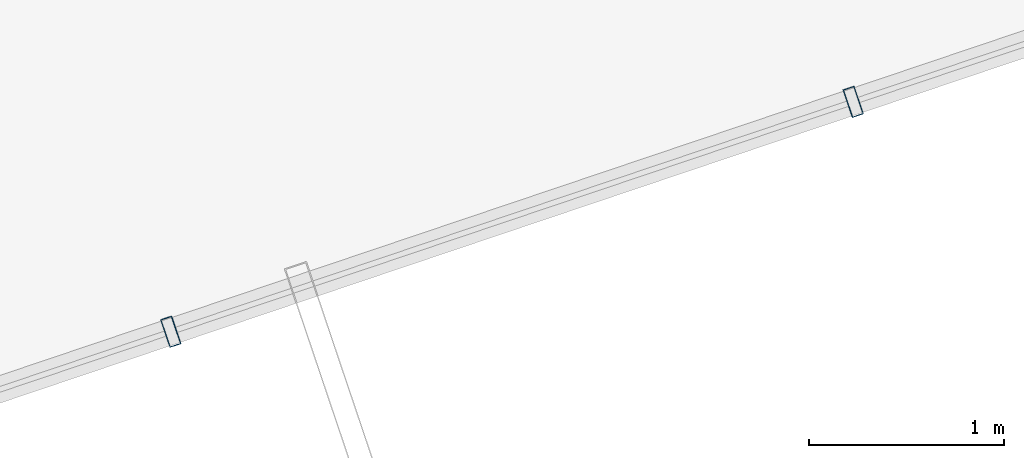
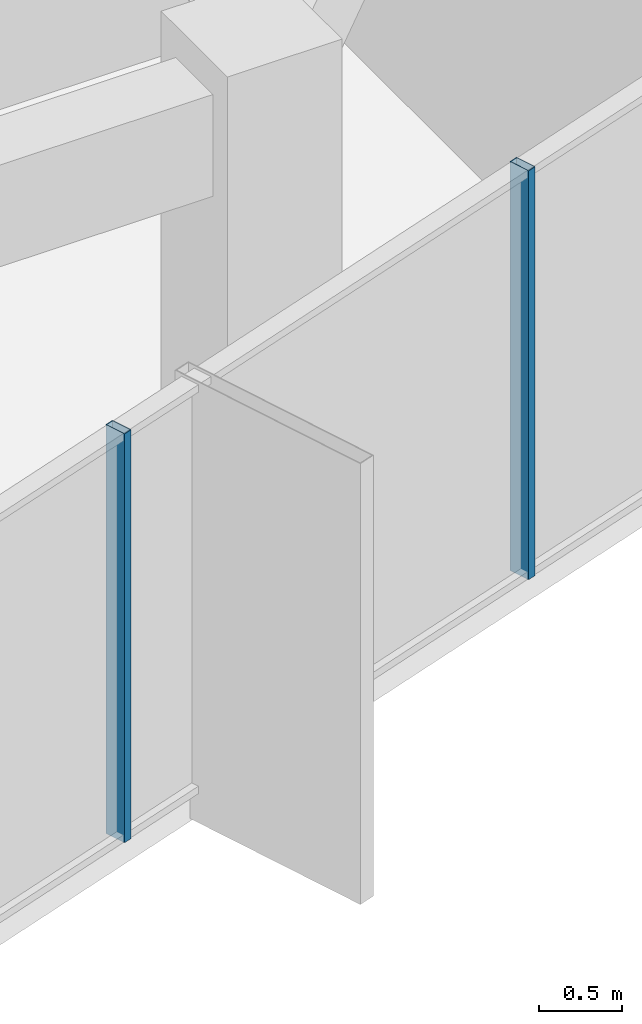
# One storey, part 7 of 28: 2 members, 1 element without a shape of its own.
"""IFC4 building model written with IfcOpenShell, lengths in metres."""

from ifc_helpers import new_model, si_unit, direction, frame, origin, origin_2d, place, context, subcontext, project, spatial, hollow_rectangle, extrude, source, transform, mapped, material, layer, layer_set, material_profile, profile_set, type_object, element, aggregate, save


model = new_model("IFC4")

# Units and contexts
model_context = context("Model", 3, precision=1e-05, world=origin(), true_north=direction((0.0, 1.0)))
body_context = subcontext(model_context, "Body", "Model", "MODEL_VIEW")
ifc_project = project(units=[si_unit("LENGTHUNIT", "METRE"), si_unit("AREAUNIT", "SQUARE_METRE"), si_unit("VOLUMEUNIT", "CUBIC_METRE"), si_unit("PLANEANGLEUNIT", "RADIAN"), si_unit("MASSUNIT", "GRAM", prefix="KILO")], contexts=[model_context])

# Site, building, storey
site_placement = place(None, origin())
site = spatial("IfcSite", under=ifc_project, at=site_placement, CompositionType="ELEMENT")
building_placement = place(site_placement, origin())
building = spatial("IfcBuilding", under=site, at=building_placement, Name="Veraguas Prism Commons", CompositionType="ELEMENT")
storey_placement = place(building_placement, frame((0.0, 0.0, 248.0)))
storey = spatial("IfcBuildingStorey", under=building, at=storey_placement, Name="L70", CompositionType="ELEMENT", Elevation=248.0)

# Curtain wall, members
ifc_material = material(Name="Anodised aluminium EN AW-6063 T6", Category="aluminium")
ifc_layer = layer(ifc_material, 0.14990234375, Name="Unitised Flush Curtain Wall Zone 4", Category="aluminium")
ifc_layer_set = layer_set([ifc_layer], Name="Anodised aluminium EN AW-6063 T6")
curtain_wall_type = type_object("IfcCurtainWallType", Name="Unitised Flush Curtain Wall Zone 4", PredefinedType="NOTDEFINED", material=ifc_layer_set)
curtain_wall_placement = place(storey_placement, origin())
curtain_wall = element("IfcCurtainWall", 1, at=curtain_wall_placement, inside=storey, type_object=curtain_wall_type, Name="Tower Facade Curtain Wall L70-F5", PredefinedType="NOTDEFINED")
ifc_material_profile = material_profile(ifc_material, hollow_rectangle(XDim=0.06005859375, YDim=0.14990234375, WallThickness=0.0029296875, at=origin_2d()), Name="AL60X150X3")
ifc_profile_set = profile_set([ifc_material_profile], Name="Anodised aluminium EN AW-6063 T6")
member_type = type_object("IfcMemberType", Name="Curtain Wall Mullion Upper AL 60x150x3", PredefinedType="MULLION", material=ifc_profile_set)
shared_shape = source(origin(), body_context, "Body", "SweptSolid", [
    extrude(hollow_rectangle(XDim=0.06005859375, YDim=0.14990234375, WallThickness=0.0029296875, at=origin_2d()), origin(), (0.0, 0.0, 1.0), 3.014892578125),
])
member_1_placement = place(storey_placement, frame((25.75537109375, 7.228271484375, 0.0), z_axis=(0.0, 0.0, 1.0), x_axis=(0.94765924351, 0.319283507543, 0.0)))
member_1 = element("IfcMember", 2, at=member_1_placement, type_object=member_type, Name="CW-Z4 Mullion 2", PredefinedType="MULLION", context=body_context, shape_type="MappedRepresentation", body=[
    mapped(shared_shape, transform((0.0, 0.0, 0.0), scale=1.0)),
])
member_2_placement = place(storey_placement, frame((29.253662109375, 8.40673828125, 0.0), z_axis=(0.0, 0.0, 1.0), x_axis=(0.94765924351, 0.319283507543, 0.0)))
member_2 = element("IfcMember", 3, at=member_2_placement, type_object=member_type, Name="CW-Z4 Mullion 3", PredefinedType="MULLION", context=body_context, shape_type="MappedRepresentation", body=[
    mapped(shared_shape, transform((0.0, 0.0, 0.0), scale=1.0)),
])
aggregate(curtain_wall, [member_1, member_2])

save(model, "model.ifc")
